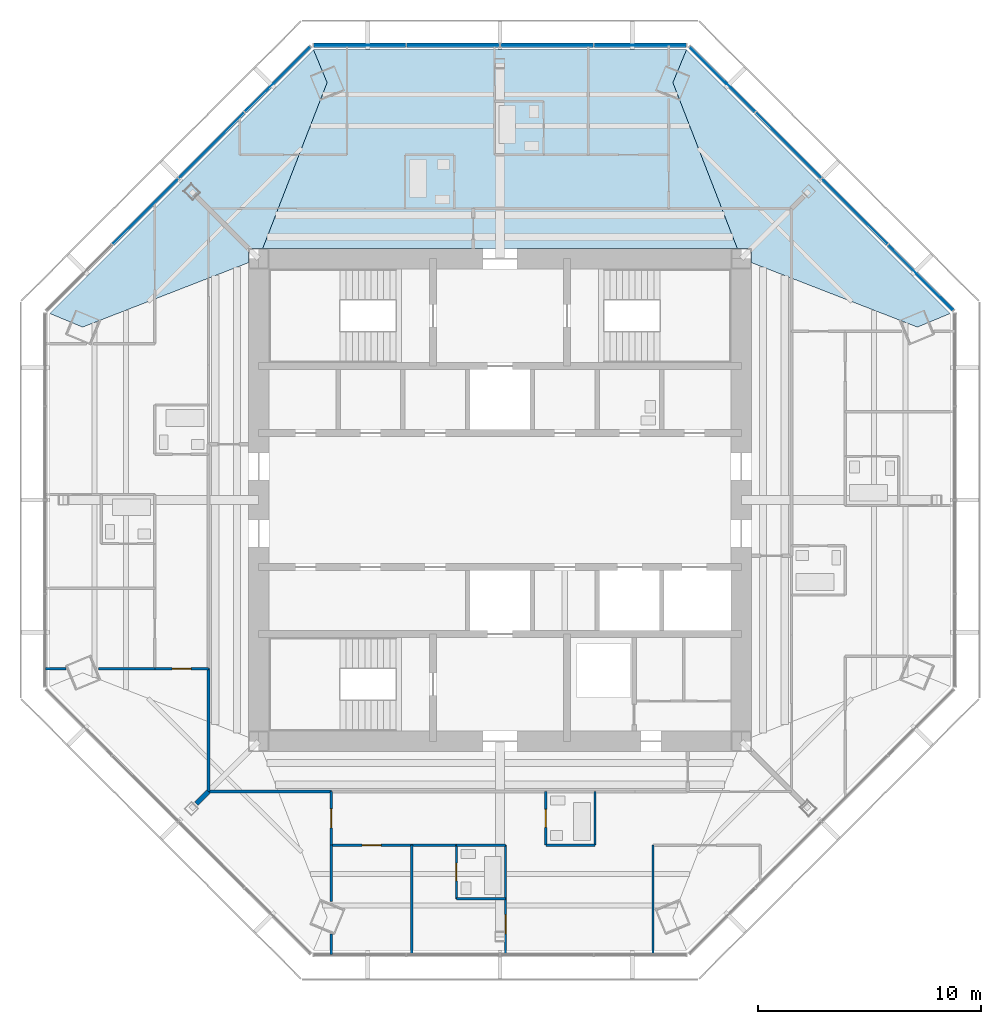
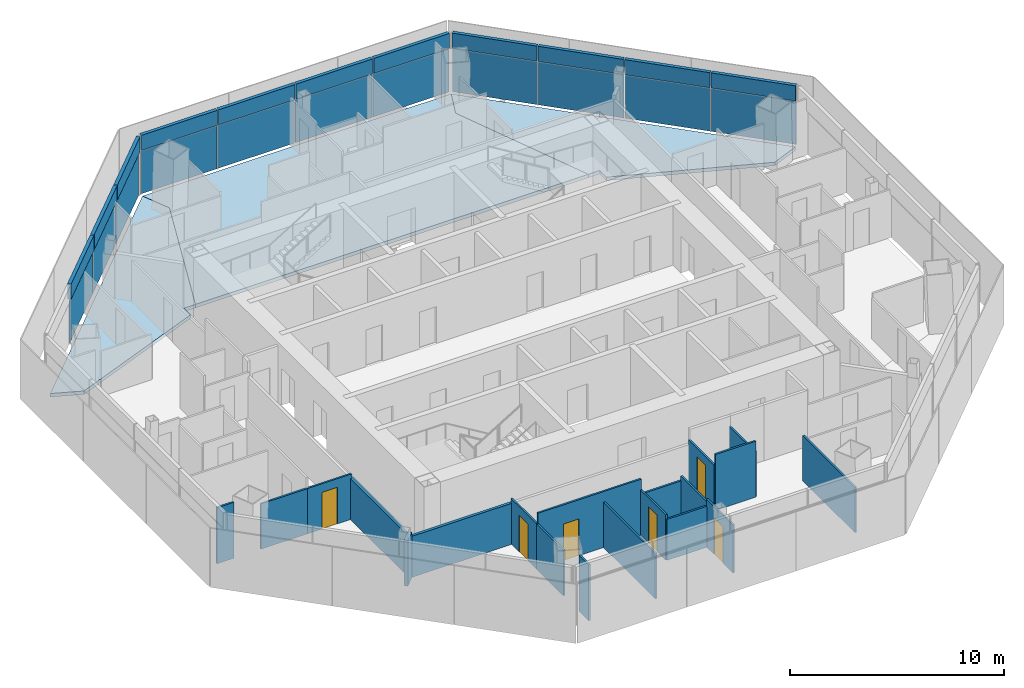
# One storey, part 9 of 15: 22 plates, 20 walls, 6 doors, 3 slabs, 6 openings, 3 elements without a shape of their own.
"""IFC4 building model written with IfcOpenShell, lengths in metres."""

from ifc_helpers import new_model, si_unit, direction, frame, frame_2d, origin, origin_2d, place, context, subcontext, project, spatial, polyline, rectangle, outline, extrude, source, transform, mapped, material, layer, layer_set, type_object, type_shapes, element, fill, aggregate, save


model = new_model("IFC4")

# Units and contexts
model_context = context("Model", 3, precision=1e-05, world=origin(), true_north=direction((0.0, 1.0)))
body_context = subcontext(model_context, "Body", "Model", "MODEL_VIEW")
ifc_project = project(units=[si_unit("LENGTHUNIT", "METRE"), si_unit("AREAUNIT", "SQUARE_METRE"), si_unit("VOLUMEUNIT", "CUBIC_METRE"), si_unit("PLANEANGLEUNIT", "RADIAN"), si_unit("MASSUNIT", "GRAM", prefix="KILO")], contexts=[model_context])

# Site, building, storey
site_placement = place(None, origin())
site = spatial("IfcSite", under=ifc_project, at=site_placement, CompositionType="ELEMENT")
building_placement = place(site_placement, origin())
building = spatial("IfcBuilding", under=site, at=building_placement, Name="Mashrafa Tower", CompositionType="ELEMENT")
storey_placement = place(building_placement, frame((0.0, 0.0, 270.800048828125)))
storey = spatial("IfcBuildingStorey", under=building, at=storey_placement, Name="L65", CompositionType="ELEMENT", Elevation=270.800048828125)

# Slabs
ifc_material_1 = material(Name="Concrete C35/45", Category="concrete")
ifc_layer_1 = layer(ifc_material_1, 0.199951171875)
ifc_layer_set_1 = layer_set([ifc_layer_1], Name="Floor slab 200")
slab_type = type_object("IfcSlabType", Name="Floor slab 200", PredefinedType="FLOOR", material=ifc_layer_set_1)
slab_1_placement = place(storey_placement, frame((0.0, 0.0, -0.199951171875)))
element("IfcSlab", 1, at=slab_1_placement, inside=storey, type_object=slab_type, Name="Floor slab L65 north-east bay", PredefinedType="FLOOR", context=body_context, shape_type="SweptSolid", body=[
    extrude(outline(polyline([(20.154052734375, 8.34814453125), (18.681640625, 7.73828125), (11.25, 10.625244140625), (11.25, 11.25), (10.625244140625, 11.25), (7.73828125, 18.681640625), (8.34814453125, 20.154052734375), (20.154052734375, 8.34814453125)])), origin(), (0.0, 0.0, 1.0), 0.199951171875),
])
slab_2_placement = place(storey_placement, frame((0.0, 0.0, -0.199951171875)))
element("IfcSlab", 2, at=slab_2_placement, inside=storey, type_object=slab_type, Name="Floor slab L65 north bay", PredefinedType="FLOOR", context=body_context, shape_type="SweptSolid", body=[
    extrude(outline(polyline([(-8.34814453125, 20.154052734375), (8.34814453125, 20.154052734375), (8.34814453125, 20.154052734375), (7.73828125, 18.681640625), (10.625244140625, 11.25), (-10.625244140625, 11.25), (-7.73828125, 18.681640625), (-8.34814453125, 20.154052734375), (-8.34814453125, 20.154052734375)])), origin(), (0.0, 0.0, 1.0), 0.199951171875),
])
slab_3_placement = place(storey_placement, frame((0.0, 0.0, -0.199951171875)))
element("IfcSlab", 3, at=slab_3_placement, inside=storey, type_object=slab_type, Name="Floor slab L65 north-west bay", PredefinedType="FLOOR", context=body_context, shape_type="SweptSolid", body=[
    extrude(outline(polyline([(-8.34814453125, 20.154052734375), (-7.73828125, 18.681640625), (-10.625244140625, 11.25), (-11.25, 11.25), (-11.25, 10.625244140625), (-18.681640625, 7.73828125), (-20.154052734375, 8.34814453125), (-8.34814453125, 20.154052734375)])), origin(), (0.0, 0.0, 1.0), 0.199951171875),
])

# Curtain wall, plates
ifc_material_2 = material(Name="Unitised aluminium curtain wall", Category="aluminium")
curtain_wall_type = type_object("IfcCurtainWallType", Name="Apartment curtain wall, zone 4 CW-D 160 deep", PredefinedType="NOTDEFINED", material=ifc_material_2)
curtain_wall_1_placement = place(storey_placement, origin())
curtain_wall_1 = element("IfcCurtainWall", 4, at=curtain_wall_1_placement, inside=storey, type_object=curtain_wall_type, Name="Apartment curtain wall, zone 4 L65 north-east", PredefinedType="NOTDEFINED")
ifc_material_3 = material(Name="Insulated double glazing, acoustic", Category="glass")
ifc_layer_2 = layer(ifc_material_3, 0.028076171875)
ifc_layer_set_2 = layer_set([ifc_layer_2], Name="Vision panel CW-D 28")
plate_type_1 = type_object("IfcPlateType", Name="Vision panel CW-D 28", PredefinedType="CURTAIN_PANEL", material=ifc_layer_set_2)
shared_shape_1 = source(origin(), body_context, "Body", "SweptSolid", [
    extrude(rectangle(XDim=4.10400390625, YDim=0.028076171875, at=origin_2d()), origin(), (0.0, 0.0, 1.0), 2.46240234375),
])
plate_1_placement = place(storey_placement, frame((18.830322265625, 9.954833984375, 0.0), z_axis=(0.0, 0.0, 1.0), x_axis=(-0.707106781187, 0.707106781187, 0.0)))
plate_1 = element("IfcPlate", 5, at=plate_1_placement, type_object=plate_type_1, Name="CW-D vision panel 1", PredefinedType="CURTAIN_PANEL", context=body_context, shape_type="MappedRepresentation", body=[
    mapped(shared_shape_1, transform((0.0, 0.0, 0.0))),
])
plate_2_placement = place(storey_placement, frame((9.954833984375, 18.830322265625, 0.0), z_axis=(0.0, 0.0, 1.0), x_axis=(-0.707106781187, 0.707106781187, 0.0)))
plate_2 = element("IfcPlate", 6, at=plate_2_placement, type_object=plate_type_1, Name="CW-D vision panel 4", PredefinedType="CURTAIN_PANEL", context=body_context, shape_type="MappedRepresentation", body=[
    mapped(shared_shape_1, transform((0.0, 0.0, 0.0))),
])

curtain_wall_2_placement = place(storey_placement, origin())
curtain_wall_2 = element("IfcCurtainWall", 7, at=curtain_wall_2_placement, inside=storey, type_object=curtain_wall_type, Name="Apartment curtain wall, zone 4 L65 north", PredefinedType="NOTDEFINED")
plate_3_placement = place(storey_placement, frame((6.27587890625, 20.354248046875, 0.0), z_axis=(0.0, 0.0, 1.0), x_axis=(-1.0, 0.0, 0.0)))
plate_3 = element("IfcPlate", 8, at=plate_3_placement, type_object=plate_type_1, Name="CW-D vision panel 1", PredefinedType="CURTAIN_PANEL", context=body_context, shape_type="MappedRepresentation", body=[
    mapped(shared_shape_1, transform((0.0, 0.0, 0.0))),
])
plate_4_placement = place(storey_placement, frame((-6.27587890625, 20.354248046875, 0.0), z_axis=(0.0, 0.0, 1.0), x_axis=(-1.0, 0.0, 0.0)))
plate_4 = element("IfcPlate", 9, at=plate_4_placement, type_object=plate_type_1, Name="CW-D vision panel 4", PredefinedType="CURTAIN_PANEL", context=body_context, shape_type="MappedRepresentation", body=[
    mapped(shared_shape_1, transform((0.0, 0.0, 0.0))),
])

# Curtain wall, plate
curtain_wall_3_placement = place(storey_placement, origin())
curtain_wall_3 = element("IfcCurtainWall", 10, at=curtain_wall_3_placement, inside=storey, type_object=curtain_wall_type, Name="Apartment curtain wall, zone 4 L65 north-west", PredefinedType="NOTDEFINED")
plate_5_placement = place(storey_placement, frame((-9.954833984375, 18.830322265625, 0.0), z_axis=(0.0, 0.0, 1.0), x_axis=(-0.707106781187, -0.707106781187, 0.0)))
plate_5 = element("IfcPlate", 11, at=plate_5_placement, type_object=plate_type_1, Name="CW-D vision panel 1", PredefinedType="CURTAIN_PANEL", context=body_context, shape_type="MappedRepresentation", body=[
    mapped(shared_shape_1, transform((0.0, 0.0, 0.0))),
])

# Plate
ifc_material_4 = material(Name="Insulated bronze aluminium spandrel panel", Category="aluminium")
ifc_layer_3 = layer(ifc_material_4, 0.179931640625)
ifc_layer_set_3 = layer_set([ifc_layer_3], Name="Spandrel panel CW-D 180")
plate_type_2 = type_object("IfcPlateType", Name="Spandrel panel CW-D 180", PredefinedType="CURTAIN_PANEL", material=ifc_layer_set_3)
shared_shape_2 = source(origin(), body_context, "Body", "SweptSolid", [
    extrude(rectangle(XDim=4.10400390625, YDim=0.179931640625, at=origin_2d()), origin(), (0.0, 0.0, 1.0), 0.862548828125),
])
plate_6_placement = place(storey_placement, frame((18.830322265625, 9.954833984375, 2.53759765625), z_axis=(0.0, 0.0, 1.0), x_axis=(-0.707106781187, 0.707106781187, 0.0)))
plate_6 = element("IfcPlate", 12, at=plate_6_placement, type_object=plate_type_2, Name="CW-D spandrel panel 1", PredefinedType="CURTAIN_PANEL", context=body_context, shape_type="MappedRepresentation", body=[
    mapped(shared_shape_2, transform((0.0, 0.0, 0.0))),
])

plate_7_placement = place(storey_placement, frame((9.954833984375, 18.830322265625, 2.53759765625), z_axis=(0.0, 0.0, 1.0), x_axis=(-0.707106781187, 0.707106781187, 0.0)))
plate_7 = element("IfcPlate", 13, at=plate_7_placement, type_object=plate_type_2, Name="CW-D spandrel panel 4", PredefinedType="CURTAIN_PANEL", context=body_context, shape_type="MappedRepresentation", body=[
    mapped(shared_shape_2, transform((0.0, 0.0, 0.0))),
])

plate_8_placement = place(storey_placement, frame((6.27587890625, 20.354248046875, 2.53759765625), z_axis=(0.0, 0.0, 1.0), x_axis=(-1.0, 0.0, 0.0)))
plate_8 = element("IfcPlate", 14, at=plate_8_placement, type_object=plate_type_2, Name="CW-D spandrel panel 1", PredefinedType="CURTAIN_PANEL", context=body_context, shape_type="MappedRepresentation", body=[
    mapped(shared_shape_2, transform((0.0, 0.0, 0.0))),
])

plate_9_placement = place(storey_placement, frame((-6.27587890625, 20.354248046875, 2.53759765625), z_axis=(0.0, 0.0, 1.0), x_axis=(-1.0, 0.0, 0.0)))
plate_9 = element("IfcPlate", 15, at=plate_9_placement, type_object=plate_type_2, Name="CW-D spandrel panel 4", PredefinedType="CURTAIN_PANEL", context=body_context, shape_type="MappedRepresentation", body=[
    mapped(shared_shape_2, transform((0.0, 0.0, 0.0))),
])

plate_10_placement = place(storey_placement, frame((-9.954833984375, 18.830322265625, 2.53759765625), z_axis=(0.0, 0.0, 1.0), x_axis=(-0.707106781187, -0.707106781187, 0.0)))
plate_10 = element("IfcPlate", 16, at=plate_10_placement, type_object=plate_type_2, Name="CW-D spandrel panel 1", PredefinedType="CURTAIN_PANEL", context=body_context, shape_type="MappedRepresentation", body=[
    mapped(shared_shape_2, transform((0.0, 0.0, 0.0))),
])

shared_shape_3 = source(origin(), body_context, "Body", "SweptSolid", [
    extrude(rectangle(XDim=4.134033203125, YDim=0.028076171875, at=origin_2d()), origin(), (0.0, 0.0, 1.0), 2.46240234375),
])
type_shapes(plate_type_1, [shared_shape_1, shared_shape_3])
plate_11_placement = place(storey_placement, frame((15.875244140625, 12.909912109375, 0.0), z_axis=(0.0, 0.0, 1.0), x_axis=(-0.707106781187, 0.707106781187, 0.0)))
plate_11 = element("IfcPlate", 17, at=plate_11_placement, type_object=plate_type_1, Name="CW-D vision panel 2", PredefinedType="CURTAIN_PANEL", context=body_context, shape_type="MappedRepresentation", body=[
    mapped(shared_shape_3, transform((0.0, 0.0, 0.0))),
])

plate_12_placement = place(storey_placement, frame((12.909912109375, 15.875244140625, 0.0), z_axis=(0.0, 0.0, 1.0), x_axis=(-0.707106781187, 0.707106781187, 0.0)))
plate_12 = element("IfcPlate", 18, at=plate_12_placement, type_object=plate_type_1, Name="CW-D vision panel 3", PredefinedType="CURTAIN_PANEL", context=body_context, shape_type="MappedRepresentation", body=[
    mapped(shared_shape_3, transform((0.0, 0.0, 0.0))),
])

plate_13_placement = place(storey_placement, frame((2.096923828125, 20.354248046875, 0.0), z_axis=(0.0, 0.0, 1.0), x_axis=(-1.0, 0.0, 0.0)))
plate_13 = element("IfcPlate", 19, at=plate_13_placement, type_object=plate_type_1, Name="CW-D vision panel 2", PredefinedType="CURTAIN_PANEL", context=body_context, shape_type="MappedRepresentation", body=[
    mapped(shared_shape_3, transform((0.0, 0.0, 0.0))),
])

plate_14_placement = place(storey_placement, frame((-2.096923828125, 20.354248046875, 0.0), z_axis=(0.0, 0.0, 1.0), x_axis=(-1.0, 0.0, 0.0)))
plate_14 = element("IfcPlate", 20, at=plate_14_placement, type_object=plate_type_1, Name="CW-D vision panel 3", PredefinedType="CURTAIN_PANEL", context=body_context, shape_type="MappedRepresentation", body=[
    mapped(shared_shape_3, transform((0.0, 0.0, 0.0))),
])

plate_15_placement = place(storey_placement, frame((-12.909912109375, 15.875244140625, 0.0), z_axis=(0.0, 0.0, 1.0), x_axis=(-0.707106781187, -0.707106781187, 0.0)))
plate_15 = element("IfcPlate", 21, at=plate_15_placement, type_object=plate_type_1, Name="CW-D vision panel 2", PredefinedType="CURTAIN_PANEL", context=body_context, shape_type="MappedRepresentation", body=[
    mapped(shared_shape_3, transform((0.0, 0.0, 0.0))),
])

plate_16_placement = place(storey_placement, frame((-15.875244140625, 12.909912109375, 0.0), z_axis=(0.0, 0.0, 1.0), x_axis=(-0.707106781187, -0.707106781187, 0.0)))
plate_16 = element("IfcPlate", 22, at=plate_16_placement, type_object=plate_type_1, Name="CW-D vision panel 3", PredefinedType="CURTAIN_PANEL", context=body_context, shape_type="MappedRepresentation", body=[
    mapped(shared_shape_3, transform((0.0, 0.0, 0.0))),
])

shared_shape_4 = source(origin(), body_context, "Body", "SweptSolid", [
    extrude(rectangle(XDim=4.134033203125, YDim=0.179931640625, at=origin_2d()), origin(), (0.0, 0.0, 1.0), 0.862548828125),
])
type_shapes(plate_type_2, [shared_shape_2, shared_shape_4])
plate_17_placement = place(storey_placement, frame((15.875244140625, 12.909912109375, 2.53759765625), z_axis=(0.0, 0.0, 1.0), x_axis=(-0.707106781187, 0.707106781187, 0.0)))
plate_17 = element("IfcPlate", 23, at=plate_17_placement, type_object=plate_type_2, Name="CW-D spandrel panel 2", PredefinedType="CURTAIN_PANEL", context=body_context, shape_type="MappedRepresentation", body=[
    mapped(shared_shape_4, transform((0.0, 0.0, 0.0))),
])

plate_18_placement = place(storey_placement, frame((12.909912109375, 15.875244140625, 2.53759765625), z_axis=(0.0, 0.0, 1.0), x_axis=(-0.707106781187, 0.707106781187, 0.0)))
plate_18 = element("IfcPlate", 24, at=plate_18_placement, type_object=plate_type_2, Name="CW-D spandrel panel 3", PredefinedType="CURTAIN_PANEL", context=body_context, shape_type="MappedRepresentation", body=[
    mapped(shared_shape_4, transform((0.0, 0.0, 0.0))),
])

aggregate(curtain_wall_1, [plate_1, plate_6, plate_11, plate_17, plate_12, plate_18, plate_2, plate_7])

plate_19_placement = place(storey_placement, frame((2.096923828125, 20.354248046875, 2.53759765625), z_axis=(0.0, 0.0, 1.0), x_axis=(-1.0, 0.0, 0.0)))
plate_19 = element("IfcPlate", 25, at=plate_19_placement, type_object=plate_type_2, Name="CW-D spandrel panel 2", PredefinedType="CURTAIN_PANEL", context=body_context, shape_type="MappedRepresentation", body=[
    mapped(shared_shape_4, transform((0.0, 0.0, 0.0))),
])

plate_20_placement = place(storey_placement, frame((-2.096923828125, 20.354248046875, 2.53759765625), z_axis=(0.0, 0.0, 1.0), x_axis=(-1.0, 0.0, 0.0)))
plate_20 = element("IfcPlate", 26, at=plate_20_placement, type_object=plate_type_2, Name="CW-D spandrel panel 3", PredefinedType="CURTAIN_PANEL", context=body_context, shape_type="MappedRepresentation", body=[
    mapped(shared_shape_4, transform((0.0, 0.0, 0.0))),
])

aggregate(curtain_wall_2, [plate_3, plate_8, plate_13, plate_19, plate_14, plate_20, plate_4, plate_9])

plate_21_placement = place(storey_placement, frame((-12.909912109375, 15.875244140625, 2.53759765625), z_axis=(0.0, 0.0, 1.0), x_axis=(-0.707106781187, -0.707106781187, 0.0)))
plate_21 = element("IfcPlate", 27, at=plate_21_placement, type_object=plate_type_2, Name="CW-D spandrel panel 2", PredefinedType="CURTAIN_PANEL", context=body_context, shape_type="MappedRepresentation", body=[
    mapped(shared_shape_4, transform((0.0, 0.0, 0.0))),
])

plate_22_placement = place(storey_placement, frame((-15.875244140625, 12.909912109375, 2.53759765625), z_axis=(0.0, 0.0, 1.0), x_axis=(-0.707106781187, -0.707106781187, 0.0)))
plate_22 = element("IfcPlate", 28, at=plate_22_placement, type_object=plate_type_2, Name="CW-D spandrel panel 3", PredefinedType="CURTAIN_PANEL", context=body_context, shape_type="MappedRepresentation", body=[
    mapped(shared_shape_4, transform((0.0, 0.0, 0.0))),
])

aggregate(curtain_wall_3, [plate_5, plate_10, plate_15, plate_21, plate_16, plate_22])

# Walls
ifc_material_5 = material(Name="Gypsum board on steel studs", Category="steel")
ifc_layer_4 = layer(ifc_material_5, 0.199951171875)
ifc_layer_set_4 = layer_set([ifc_layer_4], Name="Acoustic partition 200 1 hr")
wall_type_1 = type_object("IfcWallType", Name="Acoustic partition 200 1 hr", PredefinedType="PARTITIONING", material=ifc_layer_set_4)
wall_1_placement = place(storey_placement, frame((-13.586181640625, -13.586181640625, 0.0), z_axis=(0.0, 0.0, 1.0), x_axis=(0.707106781187, 0.707106781187, 0.0)))
element("IfcWall", 29, at=wall_1_placement, inside=storey, type_object=wall_type_1, Name="Acoustic wall L65-084", PredefinedType="PARTITIONING", context=body_context, shape_type="SweptSolid", body=[
    extrude(rectangle(XDim=0.75830078125, YDim=0.199951171875, at=frame_2d((0.379150390625, 0.0))), origin(), (0.0, 0.0, 1.0), 2.590576171875),
])
ifc_material_6 = material(Name="Gypsum board on steel studs", Category="steel")
ifc_layer_5 = layer(ifc_material_6, 0.14990234375)
ifc_layer_set_5 = layer_set([ifc_layer_5], Name="Corridor partition 150 1 hr")
wall_type_2 = type_object("IfcWallType", Name="Corridor partition 150 1 hr", PredefinedType="PARTITIONING", material=ifc_layer_set_5)
for number, where, z_axis, x_axis, name in (
    (30, (-13.050048828125, -7.549072265625, 0.0), (0.0, 0.0, 1.0), (0.0, -1.0, 0.0), "Corridor wall L65-009"),
    (31, (-13.050048828125, -13.050048828125, 0.0), (0.0, 0.0, 1.0), (1.0, 0.0, 0.0), "Corridor wall L65-013"),
):
    element("IfcWall", number, at=place(storey_placement, frame(where, z_axis=z_axis, x_axis=x_axis)), inside=storey, type_object=wall_type_2, Name=name, PredefinedType="PARTITIONING", context=body_context, shape_type="SweptSolid", body=[
        extrude(rectangle(XDim=5.5009765625, YDim=0.14990234375, at=frame_2d((2.75048828125, 0.0))), origin(), (0.0, 0.0, 1.0), 2.349365234375),
    ])
ifc_material_7 = material(Name="Gypsum board on steel studs", Category="steel")
ifc_layer_6 = layer(ifc_material_7, 0.10009765625)
ifc_layer_set_6 = layer_set([ifc_layer_6], Name="Partition 100")
wall_type_3 = type_object("IfcWallType", Name="Partition 100", PredefinedType="PARTITIONING", material=ifc_layer_set_6)
wall_2_placement = place(storey_placement, frame((6.85009765625, -15.449951171875, 0.0), z_axis=(0.0, 0.0, 1.0), x_axis=(0.0, -1.0, 0.0)))
element("IfcWall", 32, at=wall_2_placement, inside=storey, type_object=wall_type_3, Name="Partition wall L65-029", PredefinedType="PARTITIONING", context=body_context, shape_type="SweptSolid", body=[
    extrude(rectangle(XDim=4.88623046875, YDim=0.10009765625, at=frame_2d((2.443115234375, 0.0))), origin(), (0.0, 0.0, 1.0), 2.590576171875),
])
wall_3_placement = place(storey_placement, frame((-20.336181640625, -7.550048828125, 0.0), z_axis=(0.0, 0.0, 1.0), x_axis=(1.0, 0.0, 0.0)))
element("IfcWall", 33, at=wall_3_placement, inside=storey, type_object=wall_type_3, Name="Partition wall L65-080", PredefinedType="PARTITIONING", context=body_context, shape_type="SweptSolid", body=[
    extrude(rectangle(XDim=0.9130859375, YDim=0.10009765625, at=frame_2d((0.45654296875, 0.0))), origin(), (0.0, 0.0, 1.0), 3.199951171875),
])
wall_4_placement = place(storey_placement, frame((-17.969970703125, -7.550048828125, 0.0), z_axis=(0.0, 0.0, 1.0), x_axis=(1.0, 0.0, 0.0)))
element("IfcWall", 34, at=wall_4_placement, inside=storey, type_object=wall_type_3, Name="Partition wall L65-081", PredefinedType="PARTITIONING", context=body_context, shape_type="SweptSolid", body=[
    extrude(rectangle(XDim=2.52001953125, YDim=0.10009765625, at=frame_2d((1.260009765625, 0.0))), origin(), (0.0, 0.0, 1.0), 2.590576171875),
])

# Wall, opening, door
wall_5_placement = place(storey_placement, frame((-13.050048828125, -7.550048828125, 0.0), z_axis=(0.0, 0.0, 1.0), x_axis=(-1.0, 0.0, 0.0)))
wall_5 = element("IfcWall", 35, at=wall_5_placement, inside=storey, type_object=wall_type_3, Name="Partition wall L65-083", PredefinedType="PARTITIONING", context=body_context, shape_type="SweptSolid", body=[
    extrude(rectangle(XDim=2.40087890625, YDim=0.10009765625, at=frame_2d((1.200439453125, 0.0))), origin(), (0.0, 0.0, 1.0), 2.590576171875),
])
opening_1_placement = place(wall_5_placement, frame((0.775390625, 0.0, 0.0)))
opening_1 = element("IfcOpeningElement", 36, at=opening_1_placement, cuts=wall_5, Name="Opening 65.021", PredefinedType="OPENING", context=body_context, shape_type="SweptSolid", body=[
    extrude(rectangle(XDim=0.85009765625, YDim=2.10009765625, at=frame_2d((0.425048828125, 1.050048828125))), frame((0.0, 0.06005859375, 0.0), z_axis=(0.0, -1.0, 0.0), x_axis=(1.0, 0.0, 0.0)), (0.0, 0.0, 1.0), 0.1201171875),
])
ifc_material_8 = material(Name="Timber door", Category="wood")
door_type_1 = type_object("IfcDoorType", Name="Bedroom door 850 x 2100", OperationType="USERDEFINED", PredefinedType="DOOR", material=ifc_material_8)
door_1_placement = place(opening_1_placement, origin())
door_1 = element("IfcDoor", 37, at=door_1_placement, inside=storey, type_object=door_type_1, Name="Apartment 6503 Bedroom 3 door", OperationType="SINGLE_SWING_LEFT", OverallHeight=2.10009765625, OverallWidth=0.85009765625, PredefinedType="DOOR", context=body_context, shape_type="SweptSolid", body=[
    extrude(rectangle(XDim=0.85009765625, YDim=2.10009765625, at=frame_2d((0.425048828125, 1.050048828125))), frame((0.0, 0.02490234375, 0.0), z_axis=(0.0, -1.0, 0.0), x_axis=(1.0, 0.0, 0.0)), (0.0, 0.0, 1.0), 0.050048828125),
])
fill(opening_1, door_1)

# Wall
wall_6_placement = place(storey_placement, frame((4.25, -13.050048828125, 0.0), z_axis=(0.0, 0.0, 1.0), x_axis=(0.0, -1.0, 0.0)))
element("IfcWall", 38, at=wall_6_placement, inside=storey, type_object=wall_type_3, Name="Partition wall L65-086", PredefinedType="PARTITIONING", context=body_context, shape_type="SweptSolid", body=[
    extrude(rectangle(XDim=2.39990234375, YDim=0.10009765625, at=frame_2d((1.199951171875, 0.0))), origin(), (0.0, 0.0, 1.0), 2.590576171875),
])

# Wall, opening, door
wall_7_placement = place(storey_placement, frame((2.050048828125, -13.050048828125, 0.0), z_axis=(0.0, 0.0, 1.0), x_axis=(0.0, -1.0, 0.0)))
wall_7 = element("IfcWall", 39, at=wall_7_placement, inside=storey, type_object=wall_type_3, Name="Partition wall L65-087", PredefinedType="PARTITIONING", context=body_context, shape_type="SweptSolid", body=[
    extrude(rectangle(XDim=2.39990234375, YDim=0.10009765625, at=frame_2d((1.199951171875, 0.0))), origin(), (0.0, 0.0, 1.0), 2.590576171875),
])
opening_2_placement = place(wall_7_placement, frame((0.800048828125, 0.0, 0.0)))
opening_2 = element("IfcOpeningElement", 40, at=opening_2_placement, cuts=wall_7, Name="Opening 65.023", PredefinedType="OPENING", context=body_context, shape_type="SweptSolid", body=[
    extrude(rectangle(XDim=0.800048828125, YDim=2.10009765625, at=frame_2d((0.39990234375, 1.050048828125))), frame((0.0, 0.06005859375, 0.0), z_axis=(0.0, -1.0, 0.0), x_axis=(1.0, 0.0, 0.0)), (0.0, 0.0, 1.0), 0.1201171875),
])
ifc_material_9 = material(Name="Timber door", Category="wood")
door_type_2 = type_object("IfcDoorType", Name="Bathroom door 800 x 2100", OperationType="USERDEFINED", PredefinedType="DOOR", material=ifc_material_9)
door_2_placement = place(opening_2_placement, origin())
door_2 = element("IfcDoor", 41, at=door_2_placement, inside=storey, type_object=door_type_2, Name="Apartment 6504 Bathroom door", OperationType="SINGLE_SWING_RIGHT", OverallHeight=2.10009765625, OverallWidth=0.800048828125, PredefinedType="DOOR", context=body_context, shape_type="SweptSolid", body=[
    extrude(rectangle(XDim=0.800048828125, YDim=2.10009765625, at=frame_2d((0.39990234375, 1.050048828125))), frame((0.0, 0.02490234375, 0.0), z_axis=(0.0, -1.0, 0.0), x_axis=(1.0, 0.0, 0.0)), (0.0, 0.0, 1.0), 0.050048828125),
])
fill(opening_2, door_2)

# Wall
wall_8_placement = place(storey_placement, frame((2.050048828125, -15.449951171875, 0.0), z_axis=(0.0, 0.0, 1.0), x_axis=(1.0, 0.0, 0.0)))
element("IfcWall", 42, at=wall_8_placement, inside=storey, type_object=wall_type_3, Name="Partition wall L65-088", PredefinedType="PARTITIONING", context=body_context, shape_type="SweptSolid", body=[
    extrude(rectangle(XDim=2.199951171875, YDim=0.10009765625, at=frame_2d((1.10009765625, 0.0))), origin(), (0.0, 0.0, 1.0), 3.199951171875),
])

# Wall, opening, door
wall_9_placement = place(storey_placement, frame((-1.949951171875, -15.449951171875, 0.0), z_axis=(0.0, 0.0, 1.0), x_axis=(0.0, -1.0, 0.0)))
wall_9 = element("IfcWall", 43, at=wall_9_placement, inside=storey, type_object=wall_type_3, Name="Partition wall L65-089", PredefinedType="PARTITIONING", context=body_context, shape_type="SweptSolid", body=[
    extrude(rectangle(XDim=2.400146484375, YDim=0.10009765625, at=frame_2d((1.2001953125, 0.0))), origin(), (0.0, 0.0, 1.0), 2.590576171875),
])
opening_3_placement = place(wall_9_placement, frame((0.800048828125, 0.0, 0.0)))
opening_3 = element("IfcOpeningElement", 44, at=opening_3_placement, cuts=wall_9, Name="Opening 65.024", PredefinedType="OPENING", context=body_context, shape_type="SweptSolid", body=[
    extrude(rectangle(XDim=0.800048828125, YDim=2.10009765625, at=frame_2d((0.39990234375, 1.050048828125))), frame((0.0, 0.06005859375, 0.0), z_axis=(0.0, -1.0, 0.0), x_axis=(1.0, 0.0, 0.0)), (0.0, 0.0, 1.0), 0.1201171875),
])
door_3_placement = place(opening_3_placement, origin())
door_3 = element("IfcDoor", 45, at=door_3_placement, inside=storey, type_object=door_type_2, Name="Apartment 6504 En-suite Bathroom door", OperationType="SINGLE_SWING_RIGHT", OverallHeight=2.10009765625, OverallWidth=0.800048828125, PredefinedType="DOOR", context=body_context, shape_type="SweptSolid", body=[
    extrude(rectangle(XDim=0.800048828125, YDim=2.10009765625, at=frame_2d((0.39990234375, 1.050048828125))), frame((0.0, 0.02490234375, 0.0), z_axis=(0.0, -1.0, 0.0), x_axis=(1.0, 0.0, 0.0)), (0.0, 0.0, 1.0), 0.050048828125),
])
fill(opening_3, door_3)

# Walls
wall_10_placement = place(storey_placement, frame((-1.949951171875, -17.85009765625, 0.0), z_axis=(0.0, 0.0, 1.0), x_axis=(1.0, 0.0, 0.0)))
element("IfcWall", 46, at=wall_10_placement, inside=storey, type_object=wall_type_3, Name="Partition wall L65-090", PredefinedType="PARTITIONING", context=body_context, shape_type="SweptSolid", body=[
    extrude(rectangle(XDim=2.199951171875, YDim=0.10009765625, at=frame_2d((1.10009765625, 0.0))), origin(), (0.0, 0.0, 1.0), 2.34423828125),
])
wall_11_placement = place(storey_placement, frame((0.25, -17.85009765625, 0.0), z_axis=(0.0, 0.0, 1.0), x_axis=(0.0, 1.0, 0.0)))
element("IfcWall", 47, at=wall_11_placement, inside=storey, type_object=wall_type_3, Name="Partition wall L65-091", PredefinedType="PARTITIONING", context=body_context, shape_type="SweptSolid", body=[
    extrude(rectangle(XDim=2.400146484375, YDim=0.10009765625, at=frame_2d((1.2001953125, 0.0))), origin(), (0.0, 0.0, 1.0), 2.590576171875),
])
wall_12_placement = place(storey_placement, frame((0.25, -15.449951171875, 0.0), z_axis=(0.0, 0.0, 1.0), x_axis=(-1.0, 0.0, 0.0)))
element("IfcWall", 48, at=wall_12_placement, inside=storey, type_object=wall_type_3, Name="Partition wall L65-092", PredefinedType="PARTITIONING", context=body_context, shape_type="SweptSolid", body=[
    extrude(rectangle(XDim=2.199951171875, YDim=0.10009765625, at=frame_2d((1.10009765625, 0.0))), origin(), (0.0, 0.0, 1.0), 2.34423828125),
])
wall_13_placement = place(storey_placement, frame((-3.949951171875, -15.449951171875, 0.0), z_axis=(0.0, 0.0, 1.0), x_axis=(0.0, -1.0, 0.0)))
element("IfcWall", 49, at=wall_13_placement, inside=storey, type_object=wall_type_3, Name="Partition wall L65-093", PredefinedType="PARTITIONING", context=body_context, shape_type="SweptSolid", body=[
    extrude(rectangle(XDim=4.88623046875, YDim=0.10009765625, at=frame_2d((2.443115234375, 0.0))), origin(), (0.0, 0.0, 1.0), 2.590576171875),
])

# Wall, opening, door
wall_14_placement = place(storey_placement, frame((-1.949951171875, -15.449951171875, 0.0), z_axis=(0.0, 0.0, 1.0), x_axis=(-1.0, 0.0, 0.0)))
wall_14 = element("IfcWall", 50, at=wall_14_placement, inside=storey, type_object=wall_type_3, Name="Partition wall L65-094", PredefinedType="PARTITIONING", context=body_context, shape_type="SweptSolid", body=[
    extrude(rectangle(XDim=5.60009765625, YDim=0.10009765625, at=frame_2d((2.800048828125, 0.0))), origin(), (0.0, 0.0, 1.0), 3.199951171875),
])
opening_4_placement = place(wall_14_placement, frame((3.375, 0.0, 0.0)))
opening_4 = element("IfcOpeningElement", 51, at=opening_4_placement, cuts=wall_14, Name="Opening 65.026", PredefinedType="OPENING", context=body_context, shape_type="SweptSolid", body=[
    extrude(rectangle(XDim=0.85009765625, YDim=2.10009765625, at=frame_2d((0.425048828125, 1.050048828125))), frame((0.0, 0.06005859375, 0.0), z_axis=(0.0, -1.0, 0.0), x_axis=(1.0, 0.0, 0.0)), (0.0, 0.0, 1.0), 0.1201171875),
])
door_4_placement = place(opening_4_placement, origin())
door_4 = element("IfcDoor", 52, at=door_4_placement, inside=storey, type_object=door_type_1, Name="Apartment 6504 Bedroom 2 door", OperationType="SINGLE_SWING_LEFT", OverallHeight=2.10009765625, OverallWidth=0.85009765625, PredefinedType="DOOR", context=body_context, shape_type="SweptSolid", body=[
    extrude(rectangle(XDim=0.85009765625, YDim=2.10009765625, at=frame_2d((0.425048828125, 1.050048828125))), frame((0.0, 0.02490234375, 0.0), z_axis=(0.0, -1.0, 0.0), x_axis=(1.0, 0.0, 0.0)), (0.0, 0.0, 1.0), 0.050048828125),
])
fill(opening_4, door_4)

wall_15_placement = place(storey_placement, frame((0.25, -20.338134765625, 0.0), z_axis=(0.0, 0.0, 1.0), x_axis=(0.0, 1.0, 0.0)))
wall_15 = element("IfcWall", 53, at=wall_15_placement, inside=storey, type_object=wall_type_3, Name="Partition wall L65-095", PredefinedType="PARTITIONING", context=body_context, shape_type="SweptSolid", body=[
    extrude(rectangle(XDim=2.488037109375, YDim=0.10009765625, at=frame_2d((1.244140625, 0.0))), origin(), (0.0, 0.0, 1.0), 2.740234375),
])
opening_5_placement = place(wall_15_placement, frame((0.930908203125, 0.0, 0.0)))
opening_5 = element("IfcOpeningElement", 54, at=opening_5_placement, cuts=wall_15, Name="Opening 65.025", PredefinedType="OPENING", context=body_context, shape_type="SweptSolid", body=[
    extrude(rectangle(XDim=0.85009765625, YDim=2.10009765625, at=frame_2d((0.425048828125, 1.050048828125))), frame((0.0, 0.06005859375, 0.0), z_axis=(0.0, -1.0, 0.0), x_axis=(1.0, 0.0, 0.0)), (0.0, 0.0, 1.0), 0.1201171875),
])
door_5_placement = place(opening_5_placement, frame((0.85009765625, 0.0, 0.0), z_axis=(0.0, 0.0, 1.0), x_axis=(-1.0, 0.0, 0.0)))
door_5 = element("IfcDoor", 55, at=door_5_placement, inside=storey, type_object=door_type_1, Name="Apartment 6504 Bedroom 1 door", OperationType="SINGLE_SWING_RIGHT", OverallHeight=2.10009765625, OverallWidth=0.85009765625, PredefinedType="DOOR", context=body_context, shape_type="SweptSolid", body=[
    extrude(rectangle(XDim=0.85009765625, YDim=2.10009765625, at=frame_2d((0.425048828125, 1.050048828125))), frame((0.0, 0.02490234375, 0.0), z_axis=(0.0, -1.0, 0.0), x_axis=(1.0, 0.0, 0.0)), (0.0, 0.0, 1.0), 0.050048828125),
])
fill(opening_5, door_5)

# Walls
wall_16_placement = place(storey_placement, frame((-7.550048828125, -15.449951171875, 0.0), z_axis=(0.0, 0.0, 1.0), x_axis=(0.0, -1.0, 0.0)))
element("IfcWall", 56, at=wall_16_placement, inside=storey, type_object=wall_type_3, Name="Partition wall L65-096", PredefinedType="PARTITIONING", context=body_context, shape_type="SweptSolid", body=[
    extrude(rectangle(XDim=2.52001953125, YDim=0.10009765625, at=frame_2d((1.260009765625, 0.0))), origin(), (0.0, 0.0, 1.0), 2.590576171875),
])
wall_17_placement = place(storey_placement, frame((-7.550048828125, -19.423095703125, 0.0), z_axis=(0.0, 0.0, 1.0), x_axis=(0.0, -1.0, 0.0)))
element("IfcWall", 57, at=wall_17_placement, inside=storey, type_object=wall_type_3, Name="Partition wall L65-097", PredefinedType="PARTITIONING", context=body_context, shape_type="SweptSolid", body=[
    extrude(rectangle(XDim=0.9130859375, YDim=0.10009765625, at=frame_2d((0.45654296875, 0.0))), origin(), (0.0, 0.0, 1.0), 3.199951171875),
])

# Wall, opening, door
wall_18_placement = place(storey_placement, frame((-7.550048828125, -15.450927734375, 0.0), z_axis=(0.0, 0.0, 1.0), x_axis=(0.0, 1.0, 0.0)))
wall_18 = element("IfcWall", 58, at=wall_18_placement, inside=storey, type_object=wall_type_3, Name="Partition wall L65-099", PredefinedType="PARTITIONING", context=body_context, shape_type="SweptSolid", body=[
    extrude(rectangle(XDim=2.40087890625, YDim=0.10009765625, at=frame_2d((1.200439453125, 0.0))), origin(), (0.0, 0.0, 1.0), 2.590576171875),
])
opening_6_placement = place(wall_18_placement, frame((0.775390625, 0.0, 0.0)))
opening_6 = element("IfcOpeningElement", 59, at=opening_6_placement, cuts=wall_18, Name="Opening 65.027", PredefinedType="OPENING", context=body_context, shape_type="SweptSolid", body=[
    extrude(rectangle(XDim=0.85009765625, YDim=2.10009765625, at=frame_2d((0.425048828125, 1.050048828125))), frame((0.0, 0.06005859375, 0.0), z_axis=(0.0, -1.0, 0.0), x_axis=(1.0, 0.0, 0.0)), (0.0, 0.0, 1.0), 0.1201171875),
])
door_6_placement = place(opening_6_placement, origin())
door_6 = element("IfcDoor", 60, at=door_6_placement, inside=storey, type_object=door_type_1, Name="Apartment 6504 Bedroom 3 door", OperationType="SINGLE_SWING_RIGHT", OverallHeight=2.10009765625, OverallWidth=0.85009765625, PredefinedType="DOOR", context=body_context, shape_type="SweptSolid", body=[
    extrude(rectangle(XDim=0.85009765625, YDim=2.10009765625, at=frame_2d((0.425048828125, 1.050048828125))), frame((0.0, 0.02490234375, 0.0), z_axis=(0.0, -1.0, 0.0), x_axis=(1.0, 0.0, 0.0)), (0.0, 0.0, 1.0), 0.050048828125),
])
fill(opening_6, door_6)

save(model, "model.ifc")
